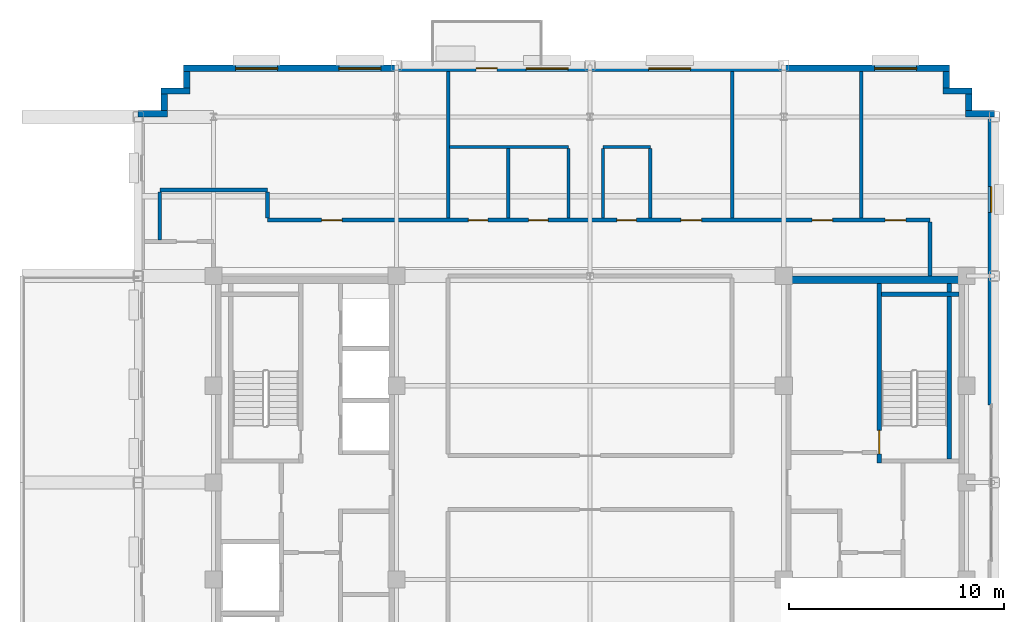
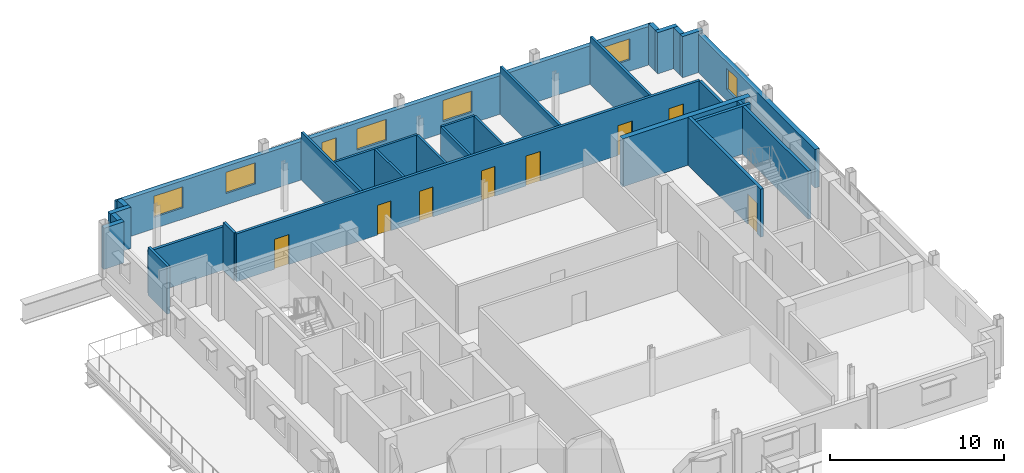
# One storey, part 8 of 14: 28 walls, 9 doors, 6 windows, 15 openings.
"""IFC4 building model written with IfcOpenShell, lengths in metres."""

import ifcopenshell
import ifcopenshell.guid

model = None  # the IFC model being written
_history = None  # IfcOwnerHistory: only IFC2X3 demands one
_inside = {}  # id of a spatial element -> (the spatial element, [elements in it])
_under = {}  # id of a project, library or spatial element -> (it, [spatial elements below it])
_declared = {}  # id of a project -> (the project, [libraries it declares])
_typed = {}  # id of a type object -> (the type object, [elements of that type])
_made_of = {}  # id of a material, layer set ... -> (it, [elements and type objects made of it])


def new_model(schema):
    """Start an empty IFC model of exactly this schema.

    Asked for "IFC4X3", IfcOpenShell would pick the latest addendum, in which some entities
    have other attributes; the version numbers below select the first issue.
    IFC2X3 requires an IfcOwnerHistory on every rooted entity: one is made here for all.
    """
    global model, _history
    if schema == "IFC4X3":
        model = ifcopenshell.file(schema_version=(4, 3, 0, 0))
    else:
        model = ifcopenshell.file(schema=schema)
    _inside.clear()
    _under.clear()
    _declared.clear()
    _typed.clear()
    _made_of.clear()
    _history = None
    if model.schema == "IFC2X3":
        org = make("IfcOrganization", Name="unknown")
        user = make(
            "IfcPersonAndOrganization",
            ThePerson=make("IfcPerson", FamilyName="unknown"),
            TheOrganization=org,
        )
        app = make(
            "IfcApplication",
            ApplicationDeveloper=org,
            Version="unknown",
            ApplicationFullName="unknown",
            ApplicationIdentifier="unknown",
        )
        _history = make(
            "IfcOwnerHistory",
            OwningUser=user,
            OwningApplication=app,
            ChangeAction="ADDED",
            CreationDate=0,
        )
    return model


def make(cls, **values):
    """One entity of the class cls with the attributes given. An attribute that is None is left unset."""
    return model.create_entity(
        cls, **{name: value for name, value in values.items() if value is not None}
    )


def rooted(cls, **values):
    """An entity with a GlobalId (a new one), such as an element, a storey or a relation."""
    return make(cls, GlobalId=ifcopenshell.guid.new(), OwnerHistory=_history, **values)


def si_unit(unit_type, name, prefix=None):
    """IfcSIUnit, for example si_unit("LENGTHUNIT", "METRE", prefix="MILLI")."""
    return make("IfcSIUnit", UnitType=unit_type, Prefix=prefix, Name=name)


def assignment(units):
    """IfcUnitAssignment: the units of a project."""
    return None if units is None else make("IfcUnitAssignment", Units=units)


def point(xyz):
    """IfcCartesianPoint."""
    return None if xyz is None else make("IfcCartesianPoint", Coordinates=xyz)


def direction(xyz):
    """IfcDirection."""
    return None if xyz is None else make("IfcDirection", DirectionRatios=xyz)


def frame(location, z_axis=None, x_axis=None):
    """IfcAxis2Placement3D, a coordinate frame: its origin and axes. An axis left out is left unset."""
    return make(
        "IfcAxis2Placement3D",
        Location=point(location),
        Axis=direction(z_axis),
        RefDirection=direction(x_axis),
    )


def frame_2d(location, x_axis=None):
    """IfcAxis2Placement2D, a coordinate frame in the plane: its origin and x axis."""
    return make(
        "IfcAxis2Placement2D", Location=point(location), RefDirection=direction(x_axis)
    )


def origin():
    """The frame at (0, 0, 0) with its axes left unset."""
    return frame((0.0, 0.0, 0.0))


def place(relative_to, where):
    """IfcLocalPlacement: puts the frame where relative to a parent placement (None: the world)."""
    return make(
        "IfcLocalPlacement", PlacementRelTo=relative_to, RelativePlacement=where
    )


def context(
    kind, dimensions, precision=None, world=None, true_north=None, identifier=None
):
    """IfcGeometricRepresentationContext, for example the 3D "Model" context."""
    return make(
        "IfcGeometricRepresentationContext",
        ContextIdentifier=identifier,
        ContextType=kind,
        CoordinateSpaceDimension=dimensions,
        Precision=precision,
        WorldCoordinateSystem=world,
        TrueNorth=true_north,
    )


def subcontext(parent, identifier, kind, view, scale=None):
    """IfcGeometricRepresentationSubContext, for example "Body" below "Model"."""
    return make(
        "IfcGeometricRepresentationSubContext",
        ContextIdentifier=identifier,
        ContextType=kind,
        ParentContext=parent,
        TargetScale=scale,
        TargetView=view,
    )


def project(units=None, contexts=None):
    """IfcProject with its units and contexts."""
    return rooted(
        "IfcProject",
        Name="project",
        RepresentationContexts=contexts,
        UnitsInContext=assignment(units),
    )


def spatial(cls, under=None, at=None, **own):
    """A site, building, storey or space (cls), placed at a placement, below another one or the project."""
    s = rooted(cls, ObjectPlacement=at, **own)
    if under is not None:
        _under.setdefault(under.id(), (under, []))[1].append(s)
    return s


def profile(cls, at=None, kind="AREA", **sizes):
    """A parametric profile (cls). Its sizes go by their IFC names, for example OverallWidth=200.0."""
    return make(cls, ProfileType=kind, Position=at, **sizes)


def rectangle(**sizes):
    """IfcRectangleProfileDef."""
    return profile("IfcRectangleProfileDef", **sizes)


def extrude(swept, where, along, depth):
    """IfcExtrudedAreaSolid: the profile swept, set in the frame where, extruded along a direction by depth."""
    return make(
        "IfcExtrudedAreaSolid",
        SweptArea=swept,
        Position=where,
        ExtrudedDirection=direction(along),
        Depth=depth,
    )


def shape(context_of_items, identifier, shape_type, items):
    """IfcShapeRepresentation: the items that make up one representation, for example the "Body"."""
    return make(
        "IfcShapeRepresentation",
        ContextOfItems=context_of_items,
        RepresentationIdentifier=identifier,
        RepresentationType=shape_type,
        Items=items,
    )


def source(mapping_origin, context_of_items, identifier, shape_type, items):
    """IfcRepresentationMap: a shape defined once, which mapped items show again and again."""
    return make(
        "IfcRepresentationMap",
        MappingOrigin=mapping_origin,
        MappedRepresentation=shape(context_of_items, identifier, shape_type, items),
    )


def transform(
    local_origin,
    x_axis=None,
    y_axis=None,
    z_axis=None,
    scale=None,
    scale2=None,
    scale3=None,
    uniform=True,
):
    """IfcCartesianTransformationOperator3D, or its non-uniform kind. x_axis, y_axis, z_axis: its Axis1, 2, 3."""
    if uniform:
        return make(
            "IfcCartesianTransformationOperator3D",
            Axis1=direction(x_axis),
            Axis2=direction(y_axis),
            LocalOrigin=point(local_origin),
            Scale=scale,
            Axis3=direction(z_axis),
        )
    return make(
        "IfcCartesianTransformationOperator3DnonUniform",
        Axis1=direction(x_axis),
        Axis2=direction(y_axis),
        LocalOrigin=point(local_origin),
        Scale=scale,
        Axis3=direction(z_axis),
        Scale2=scale2,
        Scale3=scale3,
    )


def mapped(mapping_source, mapping_target):
    """IfcMappedItem: shows the shape of a source again, moved by a transform."""
    return make(
        "IfcMappedItem", MappingSource=mapping_source, MappingTarget=mapping_target
    )


def material(Name=None, Category=None):
    """IfcMaterial."""
    return make("IfcMaterial", Name=Name, Category=Category)


def layer(
    of_material, thickness, ventilated=None, Name=None, Category=None, Priority=None
):
    """IfcMaterialLayer: one layer of a wall or slab, of a material (None: an air gap)."""
    return make(
        "IfcMaterialLayer",
        Material=of_material,
        LayerThickness=thickness,
        IsVentilated=ventilated,
        Name=Name,
        Category=Category,
        Priority=Priority,
    )


def layer_set(layers, Name=None):
    """IfcMaterialLayerSet."""
    return make("IfcMaterialLayerSet", MaterialLayers=layers, LayerSetName=Name)


def made_of(thing, what):
    """Note that an element or type object is made of a material, layer set ...; save() writes the relation."""
    if what is not None:
        _made_of.setdefault(what.id(), (what, []))[1].append(thing)
    return thing


def type_object(cls, material=None, **own):
    """A type object (cls), such as IfcWallType, which elements share."""
    return made_of(rooted(cls, **own), material)


def type_shapes(of_type, sources):
    """Give a type object the sources (RepresentationMaps) that its elements show as mapped items."""
    of_type.RepresentationMaps = sources


def element(
    cls,
    number,
    at=None,
    inside=None,
    cuts=None,
    type_object=None,
    material=None,
    context=None,
    identifier="Body",
    shape_type=None,
    held_by="IfcProductDefinitionShape",
    body=None,
    shapes=None,
    **own,
):
    """One element of the class cls, such as IfcWall. Its Tag is "e" and its number.

    at: its placement. inside: the storey or other place that contains it. cuts: it is an
    opening in that element (IfcRelVoidsElement). A single representation is given by context,
    identifier, shape_type and body (its items); several are given by shapes. held_by: the class
    of the entity that holds the representations. save() writes the other relations.
    """
    e = rooted(cls, Tag="e%d" % number, ObjectPlacement=at, **own)
    if body is not None:
        shapes = [shape(context, identifier, shape_type, body)]
    if shapes is not None:
        e.Representation = make(held_by, Representations=shapes)
    if inside is not None:
        _inside.setdefault(inside.id(), (inside, []))[1].append(e)
    if cuts is not None:
        rooted(
            "IfcRelVoidsElement", RelatingBuildingElement=cuts, RelatedOpeningElement=e
        )
    if type_object is not None:
        _typed.setdefault(type_object.id(), (type_object, []))[1].append(e)
    return made_of(e, material)


def fill(opening, filler):
    """IfcRelFillsElement: the door or window that sits in an opening."""
    return rooted(
        "IfcRelFillsElement",
        RelatingOpeningElement=opening,
        RelatedBuildingElement=filler,
    )


def aggregate(whole, parts):
    """IfcRelAggregates: a whole, such as a stair, and the parts it consists of."""
    return rooted("IfcRelAggregates", RelatingObject=whole, RelatedObjects=parts)


def save(model, path):
    """Write the relations noted so far, then the file.

    IfcRelAggregates (storeys below a building ...), IfcRelContainedInSpatialStructure (elements
    in a storey), IfcRelDefinesByType, IfcRelAssociatesMaterial and IfcRelDeclares: one each for
    every whole, place, type object, material and project.
    """
    for whole, parts in _under.values():
        aggregate(whole, parts)
    for where, things in _inside.values():
        rooted(
            "IfcRelContainedInSpatialStructure",
            RelatedElements=things,
            RelatingStructure=where,
        )
    for kind, things in _typed.values():
        rooted("IfcRelDefinesByType", RelatedObjects=things, RelatingType=kind)
    for what, things in _made_of.values():
        rooted("IfcRelAssociatesMaterial", RelatedObjects=things, RelatingMaterial=what)
    for by, libraries in _declared.values():
        rooted("IfcRelDeclares", RelatingContext=by, RelatedDefinitions=libraries)
    model.write(path)


model = new_model("IFC4")

# Units and contexts
model_context = context("Model", 3, precision=1e-05, world=origin(), true_north=direction((0.0, 1.0)))
body_context = subcontext(model_context, "Body", "Model", "MODEL_VIEW")
ifc_project = project(units=[si_unit("LENGTHUNIT", "METRE"), si_unit("AREAUNIT", "SQUARE_METRE"), si_unit("VOLUMEUNIT", "CUBIC_METRE"), si_unit("PLANEANGLEUNIT", "RADIAN"), si_unit("MASSUNIT", "GRAM", prefix="KILO")], contexts=[model_context])

# Site, building, storey
site_placement = place(None, origin())
site = spatial("IfcSite", under=ifc_project, at=site_placement, CompositionType="ELEMENT")
building_placement = place(site_placement, origin())
building = spatial("IfcBuilding", under=site, at=building_placement, Name="Nuvemarco Arch Tower", CompositionType="ELEMENT")
storey_placement = place(building_placement, frame((0.0, 0.0, 245.64990234375)))
storey = spatial("IfcBuildingStorey", under=building, at=storey_placement, Name="L65", CompositionType="ELEMENT", Elevation=245.64990234375)

# Wall, opening, window
ifc_material_1 = material(Name="Precast concrete C45/55", Category="concrete")
ifc_layer_1 = layer(ifc_material_1, 0.300048828125, Name="EW-HIGH-300")
ifc_layer_set_1 = layer_set([ifc_layer_1], Name="Precast concrete C45/55")
wall_type_1 = type_object("IfcWallType", Name="EW-HIGH-300", PredefinedType="STANDARD", material=ifc_layer_set_1)
wall_1_placement = place(storey_placement, frame((18.64990234375, 3.60009765625, 0.0), z_axis=(0.0, 0.0, 1.0), x_axis=(0.0, 1.0, 0.0)))
wall_1 = element("IfcWall", 1, at=wall_1_placement, inside=storey, type_object=wall_type_1, Name="L65 exterior precast pier wall east right", PredefinedType="STANDARD", context=body_context, shape_type="SweptSolid", body=[
    extrude(rectangle(XDim=13.40380859375, YDim=0.300048828125, at=frame_2d((6.701904296875, 0.0))), origin(), (0.0, 0.0, 1.0), 2.705078125),
])
opening_1_placement = place(wall_1_placement, frame((8.952880859375, 0.0, 0.800048828125)))
opening_1 = element("IfcOpeningElement", 2, at=opening_1_placement, cuts=wall_1, Name="Opening WN-8", PredefinedType="OPENING", context=body_context, shape_type="SweptSolid", body=[
    extrude(rectangle(XDim=1.199951171875, YDim=1.47998046875, at=frame_2d((0.60009765625, 0.739990234375))), frame((0.0, 0.159912109375, 0.0), z_axis=(0.0, -1.0, 0.0), x_axis=(1.0, 0.0, 0.0)), (0.0, 0.0, 1.0), 0.320068359375),
])
ifc_material_2 = material(Name="Insulated solar-control glass", Category="glass")
window_type_1 = type_object("IfcWindowType", Name="WN-HIGH-1200x1480", PartitioningType="SINGLE_PANEL", PredefinedType="WINDOW", material=ifc_material_2)
shared_shape_1 = source(origin(), body_context, "Body", "SweptSolid", [
    extrude(rectangle(XDim=1.199951171875, YDim=1.47998046875, at=frame_2d((0.60009765625, 0.739990234375))), frame((0.0, 0.030029296875, 0.0), z_axis=(0.0, -1.0, 0.0), x_axis=(1.0, 0.0, 0.0)), (0.0, 0.0, 1.0), 0.06005859375),
])
type_shapes(window_type_1, [shared_shape_1])
window_1_placement = place(opening_1_placement, origin())
window_1 = element("IfcWindow", 3, at=window_1_placement, inside=storey, type_object=window_type_1, Name="L65 punched facade window 2", OverallHeight=1.47998046875, OverallWidth=1.199951171875, PartitioningType="SINGLE_PANEL", PredefinedType="WINDOW", context=body_context, shape_type="MappedRepresentation", body=[
    mapped(shared_shape_1, transform((0.0, 0.0, 0.0), scale=1.0)),
])
fill(opening_1, window_1)

# Walls
wall_2_placement = place(storey_placement, frame((17.449951171875, 17.14990234375, 0.0), z_axis=(0.0, 0.0, 1.0), x_axis=(1.0, 0.0, 0.0)))
element("IfcWall", 4, at=wall_2_placement, inside=storey, type_object=wall_type_1, Name="L65 exterior precast facade wall 7", PredefinedType="STANDARD", context=body_context, shape_type="SweptSolid", body=[
    extrude(rectangle(XDim=1.35009765625, YDim=0.300048828125, at=frame_2d((0.675048828125, 0.0))), origin(), (0.0, 0.0, 1.0), 2.89208984375),
])
wall_3_placement = place(storey_placement, frame((17.60009765625, 17.2958984375, 0.0), z_axis=(0.0, 0.0, 1.0), x_axis=(0.0, 1.0, 0.0)))
element("IfcWall", 5, at=wall_3_placement, inside=storey, type_object=wall_type_1, Name="L65 exterior precast facade wall 8", PredefinedType="STANDARD", context=body_context, shape_type="SweptSolid", body=[
    extrude(rectangle(XDim=0.758056640625, YDim=0.300048828125, at=frame_2d((0.37890625, 0.0))), origin(), (0.0, 0.0, 1.0), 2.89208984375),
])
wall_4_placement = place(storey_placement, frame((16.39990234375, 18.199951171875, 0.0), z_axis=(0.0, 0.0, 1.0), x_axis=(1.0, 0.0, 0.0)))
element("IfcWall", 6, at=wall_4_placement, inside=storey, type_object=wall_type_1, Name="L65 exterior precast facade wall 9", PredefinedType="STANDARD", context=body_context, shape_type="SweptSolid", body=[
    extrude(rectangle(XDim=1.35009765625, YDim=0.300048828125, at=frame_2d((0.675048828125, 0.0))), origin(), (0.0, 0.0, 1.0), 2.89208984375),
])
wall_5_placement = place(storey_placement, frame((16.550048828125, 18.345947265625, 0.0), z_axis=(0.0, 0.0, 1.0), x_axis=(0.0, 1.0, 0.0)))
element("IfcWall", 7, at=wall_5_placement, inside=storey, type_object=wall_type_1, Name="L65 exterior precast facade wall 10", PredefinedType="STANDARD", context=body_context, shape_type="SweptSolid", body=[
    extrude(rectangle(XDim=0.758056640625, YDim=0.300048828125, at=frame_2d((0.37890625, 0.0))), origin(), (0.0, 0.0, 1.0), 2.89208984375),
])

# Wall, openings, door, windows
wall_6_placement = place(storey_placement, frame((-18.89990234375, 19.25, 0.0), z_axis=(0.0, 0.0, 1.0), x_axis=(1.0, 0.0, 0.0)))
wall_6 = element("IfcWall", 8, at=wall_6_placement, inside=storey, type_object=wall_type_1, Name="L65 exterior precast facade wall 11", PredefinedType="STANDARD", context=body_context, shape_type="SweptSolid", body=[
    extrude(rectangle(XDim=35.599853515625, YDim=0.300048828125, at=frame_2d((17.7998046875, 0.0))), origin(), (0.0, 0.0, 1.0), 2.705078125),
])
opening_2_placement = place(wall_6_placement, frame((13.60009765625, 0.0, 0.0)))
opening_2 = element("IfcOpeningElement", 9, at=opening_2_placement, cuts=wall_6, Name="Opening ED-6", PredefinedType="OPENING", context=body_context, shape_type="SweptSolid", body=[
    extrude(rectangle(XDim=0.97998046875, YDim=2.14990234375, at=frame_2d((0.489990234375, 1.074951171875))), frame((0.0, 0.159912109375, 0.0), z_axis=(0.0, -1.0, 0.0), x_axis=(1.0, 0.0, 0.0)), (0.0, 0.0, 1.0), 0.320068359375),
])
opening_3_placement = place(wall_6_placement, frame((2.425048828125, 0.0, 0.800048828125)))
opening_3 = element("IfcOpeningElement", 10, at=opening_3_placement, cuts=wall_6, Name="Opening WN-7", PredefinedType="OPENING", context=body_context, shape_type="SweptSolid", body=[
    extrude(rectangle(XDim=1.949951171875, YDim=1.47998046875, at=frame_2d((0.97509765625, 0.739990234375))), frame((0.0, 0.159912109375, 0.0), z_axis=(0.0, -1.0, 0.0), x_axis=(1.0, 0.0, 0.0)), (0.0, 0.0, 1.0), 0.320068359375),
])
opening_4_placement = place(wall_6_placement, frame((7.22509765625, 0.0, 0.800048828125)))
opening_4 = element("IfcOpeningElement", 11, at=opening_4_placement, cuts=wall_6, Name="Opening WN-7", PredefinedType="OPENING", context=body_context, shape_type="SweptSolid", body=[
    extrude(rectangle(XDim=1.949951171875, YDim=1.47998046875, at=frame_2d((0.97509765625, 0.739990234375))), frame((0.0, 0.159912109375, 0.0), z_axis=(0.0, -1.0, 0.0), x_axis=(1.0, 0.0, 0.0)), (0.0, 0.0, 1.0), 0.320068359375),
])
opening_5_placement = place(wall_6_placement, frame((15.925048828125, 0.0, 0.800048828125)))
opening_5 = element("IfcOpeningElement", 12, at=opening_5_placement, cuts=wall_6, Name="Opening WN-7", PredefinedType="OPENING", context=body_context, shape_type="SweptSolid", body=[
    extrude(rectangle(XDim=1.949951171875, YDim=1.47998046875, at=frame_2d((0.97509765625, 0.739990234375))), frame((0.0, 0.159912109375, 0.0), z_axis=(0.0, -1.0, 0.0), x_axis=(1.0, 0.0, 0.0)), (0.0, 0.0, 1.0), 0.320068359375),
])
opening_6_placement = place(wall_6_placement, frame((21.625, 0.0, 0.800048828125)))
opening_6 = element("IfcOpeningElement", 13, at=opening_6_placement, cuts=wall_6, Name="Opening WN-7", PredefinedType="OPENING", context=body_context, shape_type="SweptSolid", body=[
    extrude(rectangle(XDim=1.949951171875, YDim=1.47998046875, at=frame_2d((0.97509765625, 0.739990234375))), frame((0.0, 0.159912109375, 0.0), z_axis=(0.0, -1.0, 0.0), x_axis=(1.0, 0.0, 0.0)), (0.0, 0.0, 1.0), 0.320068359375),
])
opening_7_placement = place(wall_6_placement, frame((32.125, 0.0, 0.800048828125)))
opening_7 = element("IfcOpeningElement", 14, at=opening_7_placement, cuts=wall_6, Name="Opening WN-7", PredefinedType="OPENING", context=body_context, shape_type="SweptSolid", body=[
    extrude(rectangle(XDim=1.949951171875, YDim=1.47998046875, at=frame_2d((0.97509765625, 0.739990234375))), frame((0.0, 0.159912109375, 0.0), z_axis=(0.0, -1.0, 0.0), x_axis=(1.0, 0.0, 0.0)), (0.0, 0.0, 1.0), 0.320068359375),
])
ifc_material_3 = material(Name="Anodised bronze and laminated glass", Category="glass")
door_type_1 = type_object("IfcDoorType", Name="DR-EXT-BALC", OperationType="NOTDEFINED", PredefinedType="DOOR", material=ifc_material_3)
shared_shape_2 = source(origin(), body_context, "Body", "SweptSolid", [
    extrude(rectangle(XDim=0.97998046875, YDim=2.14990234375, at=frame_2d((0.489990234375, 1.074951171875))), frame((0.0, 0.02490234375, 0.0), z_axis=(0.0, -1.0, 0.0), x_axis=(1.0, 0.0, 0.0)), (0.0, 0.0, 1.0), 0.050048828125),
])
type_shapes(door_type_1, [shared_shape_2])
door_1_placement = place(opening_2_placement, origin())
door_1 = element("IfcDoor", 15, at=door_1_placement, inside=storey, type_object=door_type_1, Name="L65 tree balcony access door", OperationType="SINGLE_SWING_LEFT", OverallHeight=2.14990234375, OverallWidth=0.97998046875, PredefinedType="DOOR", context=body_context, shape_type="MappedRepresentation", body=[
    mapped(shared_shape_2, transform((0.0, 0.0, 0.0), scale=1.0)),
])
fill(opening_2, door_1)
window_type_2 = type_object("IfcWindowType", Name="WN-HIGH-1950x1480", PartitioningType="DOUBLE_PANEL_VERTICAL", PredefinedType="WINDOW", material=ifc_material_2)
shared_shape_3 = source(origin(), body_context, "Body", "SweptSolid", [
    extrude(rectangle(XDim=1.949951171875, YDim=1.47998046875, at=frame_2d((0.97509765625, 0.739990234375))), frame((0.0, 0.030029296875, 0.0), z_axis=(0.0, -1.0, 0.0), x_axis=(1.0, 0.0, 0.0)), (0.0, 0.0, 1.0), 0.06005859375),
])
type_shapes(window_type_2, [shared_shape_3])
window_2_placement = place(opening_3_placement, origin())
window_2 = element("IfcWindow", 16, at=window_2_placement, inside=storey, type_object=window_type_2, Name="L65 punched facade window 1", OverallHeight=1.47998046875, OverallWidth=1.949951171875, PartitioningType="SINGLE_PANEL", PredefinedType="WINDOW", context=body_context, shape_type="MappedRepresentation", body=[
    mapped(shared_shape_3, transform((0.0, 0.0, 0.0), scale=1.0)),
])
fill(opening_3, window_2)
window_3_placement = place(opening_4_placement, origin())
window_3 = element("IfcWindow", 17, at=window_3_placement, inside=storey, type_object=window_type_2, Name="L65 punched facade window 2", OverallHeight=1.47998046875, OverallWidth=1.949951171875, PartitioningType="SINGLE_PANEL", PredefinedType="WINDOW", context=body_context, shape_type="MappedRepresentation", body=[
    mapped(shared_shape_3, transform((0.0, 0.0, 0.0), scale=1.0)),
])
fill(opening_4, window_3)
window_4_placement = place(opening_5_placement, origin())
window_4 = element("IfcWindow", 18, at=window_4_placement, inside=storey, type_object=window_type_2, Name="L65 punched facade window 4", OverallHeight=1.47998046875, OverallWidth=1.949951171875, PartitioningType="SINGLE_PANEL", PredefinedType="WINDOW", context=body_context, shape_type="MappedRepresentation", body=[
    mapped(shared_shape_3, transform((0.0, 0.0, 0.0), scale=1.0)),
])
fill(opening_5, window_4)
window_5_placement = place(opening_6_placement, origin())
window_5 = element("IfcWindow", 19, at=window_5_placement, inside=storey, type_object=window_type_2, Name="L65 punched facade window 5", OverallHeight=1.47998046875, OverallWidth=1.949951171875, PartitioningType="SINGLE_PANEL", PredefinedType="WINDOW", context=body_context, shape_type="MappedRepresentation", body=[
    mapped(shared_shape_3, transform((0.0, 0.0, 0.0), scale=1.0)),
])
fill(opening_6, window_5)
window_6_placement = place(opening_7_placement, origin())
window_6 = element("IfcWindow", 20, at=window_6_placement, inside=storey, type_object=window_type_2, Name="L65 punched facade window 7", OverallHeight=1.47998046875, OverallWidth=1.949951171875, PartitioningType="SINGLE_PANEL", PredefinedType="WINDOW", context=body_context, shape_type="MappedRepresentation", body=[
    mapped(shared_shape_3, transform((0.0, 0.0, 0.0), scale=1.0)),
])
fill(opening_7, window_6)

# Walls
wall_7_placement = place(storey_placement, frame((-18.75, 18.345947265625, 0.0), z_axis=(0.0, 0.0, 1.0), x_axis=(0.0, 1.0, 0.0)))
element("IfcWall", 21, at=wall_7_placement, inside=storey, type_object=wall_type_1, Name="L65 exterior precast facade wall 12", PredefinedType="STANDARD", context=body_context, shape_type="SweptSolid", body=[
    extrude(rectangle(XDim=0.758056640625, YDim=0.300048828125, at=frame_2d((0.37890625, 0.0))), origin(), (0.0, 0.0, 1.0), 2.89208984375),
])
wall_8_placement = place(storey_placement, frame((-19.949951171875, 18.199951171875, 0.0), z_axis=(0.0, 0.0, 1.0), x_axis=(1.0, 0.0, 0.0)))
element("IfcWall", 22, at=wall_8_placement, inside=storey, type_object=wall_type_1, Name="L65 exterior precast facade wall 13", PredefinedType="STANDARD", context=body_context, shape_type="SweptSolid", body=[
    extrude(rectangle(XDim=1.349853515625, YDim=0.300048828125, at=frame_2d((0.6748046875, 0.0))), origin(), (0.0, 0.0, 1.0), 2.89208984375),
])
wall_9_placement = place(storey_placement, frame((-19.800048828125, 17.2958984375, 0.0), z_axis=(0.0, 0.0, 1.0), x_axis=(0.0, 1.0, 0.0)))
element("IfcWall", 23, at=wall_9_placement, inside=storey, type_object=wall_type_1, Name="L65 exterior precast facade wall 14", PredefinedType="STANDARD", context=body_context, shape_type="SweptSolid", body=[
    extrude(rectangle(XDim=0.758056640625, YDim=0.300048828125, at=frame_2d((0.37890625, 0.0))), origin(), (0.0, 0.0, 1.0), 2.89208984375),
])
wall_10_placement = place(storey_placement, frame((-21.0, 17.14990234375, 0.0), z_axis=(0.0, 0.0, 1.0), x_axis=(1.0, 0.0, 0.0)))
element("IfcWall", 24, at=wall_10_placement, inside=storey, type_object=wall_type_1, Name="L65 exterior precast facade wall 15", PredefinedType="STANDARD", context=body_context, shape_type="SweptSolid", body=[
    extrude(rectangle(XDim=1.35009765625, YDim=0.300048828125, at=frame_2d((0.675048828125, 0.0))), origin(), (0.0, 0.0, 1.0), 2.89208984375),
])
ifc_material_4 = material(Name="Concrete C50/60", Category="concrete")
ifc_layer_2 = layer(ifc_material_4, 0.35009765625, Name="WL-CORE-350")
ifc_layer_set_2 = layer_set([ifc_layer_2], Name="Concrete C50/60")
wall_type_2 = type_object("IfcWallType", Name="WL-CORE-350", PredefinedType="SHEAR", material=ifc_layer_set_2)
wall_11_placement = place(storey_placement, frame((9.0, 9.425048828125, 0.0), z_axis=(0.0, 0.0, 1.0), x_axis=(1.0, 0.0, 0.0)))
element("IfcWall", 25, at=wall_11_placement, inside=storey, type_object=wall_type_2, Name="L65 E-core shear wall N", PredefinedType="SHEAR", context=body_context, shape_type="SweptSolid", body=[
    extrude(rectangle(XDim=8.5, YDim=0.35009765625, at=frame_2d((4.25, 0.0))), origin(), (0.0, 0.0, 1.0), 3.3701171875),
])

# Wall, openings, doors
ifc_material_5 = material(Name="Fire-rated gypsum drywall partition")
ifc_layer_3 = layer(ifc_material_5, 0.179931640625, Name="WL-CORR-180")
ifc_layer_set_3 = layer_set([ifc_layer_3], Name="Fire-rated gypsum drywall partition")
wall_type_3 = type_object("IfcWallType", Name="WL-CORR-180", PredefinedType="PARTITIONING", material=ifc_layer_set_3)
wall_12_placement = place(storey_placement, frame((-15.0, 12.199951171875, 0.0), z_axis=(0.0, 0.0, 1.0), x_axis=(1.0, 0.0, 0.0)))
wall_12 = element("IfcWall", 26, at=wall_12_placement, inside=storey, type_object=wall_type_3, Name="L65 interior wall IW-L65-013", PredefinedType="PARTITIONING", context=body_context, shape_type="SweptSolid", body=[
    extrude(rectangle(XDim=30.800048828125, YDim=0.179931640625, at=frame_2d((15.39990234375, 0.0))), origin(), (0.0, 0.0, 1.0), 3.360107421875),
])
opening_8_placement = place(wall_12_placement, frame((2.52001953125, 0.0, 0.0)))
opening_8 = element("IfcOpeningElement", 27, at=opening_8_placement, cuts=wall_12, Name="Opening FD-5", PredefinedType="OPENING", context=body_context, shape_type="SweptSolid", body=[
    extrude(rectangle(XDim=0.9599609375, YDim=2.10009765625, at=frame_2d((0.47998046875, 1.050048828125))), frame((0.0, 0.099853515625, 0.0), z_axis=(0.0, -1.0, 0.0), x_axis=(1.0, 0.0, 0.0)), (0.0, 0.0, 1.0), 0.199951171875),
])
opening_9_placement = place(wall_12_placement, frame((19.219970703125, 0.0, 0.0)))
opening_9 = element("IfcOpeningElement", 28, at=opening_9_placement, cuts=wall_12, Name="Opening FD-5", PredefinedType="OPENING", context=body_context, shape_type="SweptSolid", body=[
    extrude(rectangle(XDim=0.9599609375, YDim=2.10009765625, at=frame_2d((0.47998046875, 1.050048828125))), frame((0.0, 0.099853515625, 0.0), z_axis=(0.0, -1.0, 0.0), x_axis=(1.0, 0.0, 0.0)), (0.0, 0.0, 1.0), 0.199951171875),
])
opening_10_placement = place(wall_12_placement, frame((25.320068359375, 0.0, 0.0)))
opening_10 = element("IfcOpeningElement", 29, at=opening_10_placement, cuts=wall_12, Name="Opening FD-5", PredefinedType="OPENING", context=body_context, shape_type="SweptSolid", body=[
    extrude(rectangle(XDim=0.9599609375, YDim=2.10009765625, at=frame_2d((0.47998046875, 1.050048828125))), frame((0.0, 0.099853515625, 0.0), z_axis=(0.0, -1.0, 0.0), x_axis=(1.0, 0.0, 0.0)), (0.0, 0.0, 1.0), 0.199951171875),
])
opening_11_placement = place(wall_12_placement, frame((28.719970703125, 0.0, 0.0)))
opening_11 = element("IfcOpeningElement", 30, at=opening_11_placement, cuts=wall_12, Name="Opening FD-5", PredefinedType="OPENING", context=body_context, shape_type="SweptSolid", body=[
    extrude(rectangle(XDim=0.9599609375, YDim=2.10009765625, at=frame_2d((0.47998046875, 1.050048828125))), frame((0.0, 0.099853515625, 0.0), z_axis=(0.0, -1.0, 0.0), x_axis=(1.0, 0.0, 0.0)), (0.0, 0.0, 1.0), 0.199951171875),
])
opening_12_placement = place(wall_12_placement, frame((9.35009765625, 0.0, 0.0)))
opening_12 = element("IfcOpeningElement", 31, at=opening_12_placement, cuts=wall_12, Name="Opening ID-3", PredefinedType="OPENING", context=body_context, shape_type="SweptSolid", body=[
    extrude(rectangle(XDim=0.89990234375, YDim=2.10009765625, at=frame_2d((0.449951171875, 1.050048828125))), frame((0.0, 0.099853515625, 0.0), z_axis=(0.0, -1.0, 0.0), x_axis=(1.0, 0.0, 0.0)), (0.0, 0.0, 1.0), 0.199951171875),
])
opening_13_placement = place(wall_12_placement, frame((12.14990234375, 0.0, 0.0)))
opening_13 = element("IfcOpeningElement", 32, at=opening_13_placement, cuts=wall_12, Name="Opening ID-3", PredefinedType="OPENING", context=body_context, shape_type="SweptSolid", body=[
    extrude(rectangle(XDim=0.89990234375, YDim=2.10009765625, at=frame_2d((0.449951171875, 1.050048828125))), frame((0.0, 0.099853515625, 0.0), z_axis=(0.0, -1.0, 0.0), x_axis=(1.0, 0.0, 0.0)), (0.0, 0.0, 1.0), 0.199951171875),
])
opening_14_placement = place(wall_12_placement, frame((16.25, 0.0, 0.0)))
opening_14 = element("IfcOpeningElement", 33, at=opening_14_placement, cuts=wall_12, Name="Opening ID-3", PredefinedType="OPENING", context=body_context, shape_type="SweptSolid", body=[
    extrude(rectangle(XDim=0.89990234375, YDim=2.10009765625, at=frame_2d((0.449951171875, 1.050048828125))), frame((0.0, 0.099853515625, 0.0), z_axis=(0.0, -1.0, 0.0), x_axis=(1.0, 0.0, 0.0)), (0.0, 0.0, 1.0), 0.199951171875),
])
ifc_material_6 = material(Name="Timber fire door", Category="wood")
door_type_2 = type_object("IfcDoorType", Name="DR-CORR-FD", OperationType="NOTDEFINED", PredefinedType="DOOR", material=ifc_material_6)
shared_shape_4 = source(origin(), body_context, "Body", "SweptSolid", [
    extrude(rectangle(XDim=0.9599609375, YDim=2.10009765625, at=frame_2d((0.47998046875, 1.050048828125))), frame((0.0, 0.02490234375, 0.0), z_axis=(0.0, -1.0, 0.0), x_axis=(1.0, 0.0, 0.0)), (0.0, 0.0, 1.0), 0.050048828125),
])
type_shapes(door_type_2, [shared_shape_4])
door_2_placement = place(opening_8_placement, origin())
door_2 = element("IfcDoor", 34, at=door_2_placement, inside=storey, type_object=door_type_2, Name="L65 door DR-L65-N_1", OperationType="SINGLE_SWING_RIGHT", OverallHeight=2.10009765625, OverallWidth=0.9599609375, PredefinedType="DOOR", context=body_context, shape_type="MappedRepresentation", body=[
    mapped(shared_shape_4, transform((0.0, 0.0, 0.0), scale=1.0)),
])
fill(opening_8, door_2)
door_3_placement = place(opening_9_placement, origin())
door_3 = element("IfcDoor", 35, at=door_3_placement, inside=storey, type_object=door_type_2, Name="L65 door DR-L65-N_2", OperationType="SINGLE_SWING_RIGHT", OverallHeight=2.10009765625, OverallWidth=0.9599609375, PredefinedType="DOOR", context=body_context, shape_type="MappedRepresentation", body=[
    mapped(shared_shape_4, transform((0.0, 0.0, 0.0), scale=1.0)),
])
fill(opening_9, door_3)
door_4_placement = place(opening_10_placement, origin())
door_4 = element("IfcDoor", 36, at=door_4_placement, inside=storey, type_object=door_type_2, Name="L65 door DR-L65-N_3", OperationType="SINGLE_SWING_LEFT", OverallHeight=2.10009765625, OverallWidth=0.9599609375, PredefinedType="DOOR", context=body_context, shape_type="MappedRepresentation", body=[
    mapped(shared_shape_4, transform((0.0, 0.0, 0.0), scale=1.0)),
])
fill(opening_10, door_4)
door_5_placement = place(opening_11_placement, origin())
door_5 = element("IfcDoor", 37, at=door_5_placement, inside=storey, type_object=door_type_2, Name="L65 door DR-L65-N_4", OperationType="SINGLE_SWING_RIGHT", OverallHeight=2.10009765625, OverallWidth=0.9599609375, PredefinedType="DOOR", context=body_context, shape_type="MappedRepresentation", body=[
    mapped(shared_shape_4, transform((0.0, 0.0, 0.0), scale=1.0)),
])
fill(opening_11, door_5)
ifc_material_7 = material(Name="Veneered oak timber fire door", Category="wood")
door_type_3 = type_object("IfcDoorType", Name="DR-WC-ACC", OperationType="NOTDEFINED", PredefinedType="DOOR", material=ifc_material_7)
shared_shape_5 = source(origin(), body_context, "Body", "SweptSolid", [
    extrude(rectangle(XDim=0.89990234375, YDim=2.10009765625, at=frame_2d((0.449951171875, 1.050048828125))), frame((0.0, 0.02490234375, 0.0), z_axis=(0.0, -1.0, 0.0), x_axis=(1.0, 0.0, 0.0)), (0.0, 0.0, 1.0), 0.050048828125),
])
type_shapes(door_type_3, [shared_shape_5])
door_6_placement = place(opening_12_placement, origin())
door_6 = element("IfcDoor", 38, at=door_6_placement, inside=storey, type_object=door_type_3, Name="L65 door DR-L65-WC_M", OperationType="SINGLE_SWING_LEFT", OverallHeight=2.10009765625, OverallWidth=0.89990234375, PredefinedType="DOOR", context=body_context, shape_type="MappedRepresentation", body=[
    mapped(shared_shape_5, transform((0.0, 0.0, 0.0), scale=1.0)),
])
fill(opening_12, door_6)
door_7_placement = place(opening_13_placement, origin())
door_7 = element("IfcDoor", 39, at=door_7_placement, inside=storey, type_object=door_type_3, Name="L65 door DR-L65-WC_F", OperationType="SINGLE_SWING_RIGHT", OverallHeight=2.10009765625, OverallWidth=0.89990234375, PredefinedType="DOOR", context=body_context, shape_type="MappedRepresentation", body=[
    mapped(shared_shape_5, transform((0.0, 0.0, 0.0), scale=1.0)),
])
fill(opening_13, door_7)
door_8_placement = place(opening_14_placement, origin())
door_8 = element("IfcDoor", 40, at=door_8_placement, inside=storey, type_object=door_type_3, Name="L65 door DR-L65-WC_ACC", OperationType="SINGLE_SWING_RIGHT", OverallHeight=2.10009765625, OverallWidth=0.89990234375, PredefinedType="DOOR", context=body_context, shape_type="MappedRepresentation", body=[
    mapped(shared_shape_5, transform((0.0, 0.0, 0.0), scale=1.0)),
])
fill(opening_14, door_8)

# Walls
wall_13_placement = place(storey_placement, frame((-20.0, 13.60009765625, 0.0), z_axis=(0.0, 0.0, 1.0), x_axis=(1.0, 0.0, 0.0)))
element("IfcWall", 41, at=wall_13_placement, inside=storey, type_object=wall_type_3, Name="L65 interior wall IW-L65-014", PredefinedType="PARTITIONING", context=body_context, shape_type="SweptSolid", body=[
    extrude(rectangle(XDim=5.0, YDim=0.179931640625, at=frame_2d((2.5, 0.0))), origin(), (0.0, 0.0, 1.0), 3.049072265625),
])
wall_14_placement = place(storey_placement, frame((-20.0, 11.285888671875, 0.0), z_axis=(0.0, 0.0, 1.0), x_axis=(0.0, 1.0, 0.0)))
element("IfcWall", 42, at=wall_14_placement, inside=storey, type_object=wall_type_3, Name="L65 interior wall IW-L65-018", PredefinedType="PARTITIONING", context=body_context, shape_type="SweptSolid", body=[
    extrude(rectangle(XDim=2.22802734375, YDim=0.179931640625, at=frame_2d((1.114013671875, 0.0))), origin(), (0.0, 0.0, 1.0), 3.360107421875),
])
wall_15_placement = place(storey_placement, frame((-15.0, 12.285888671875, 0.0), z_axis=(0.0, 0.0, 1.0), x_axis=(0.0, 1.0, 0.0)))
element("IfcWall", 43, at=wall_15_placement, inside=storey, type_object=wall_type_3, Name="L65 interior wall IW-L65-022", PredefinedType="PARTITIONING", context=body_context, shape_type="SweptSolid", body=[
    extrude(rectangle(XDim=1.22802734375, YDim=0.179931640625, at=frame_2d((0.614013671875, 0.0))), origin(), (0.0, 0.0, 1.0), 3.360107421875),
])
wall_16_placement = place(storey_placement, frame((15.800048828125, 9.60009765625, 0.0), z_axis=(0.0, 0.0, 1.0), x_axis=(0.0, 1.0, 0.0)))
element("IfcWall", 44, at=wall_16_placement, inside=storey, type_object=wall_type_3, Name="L65 interior wall IW-L65-036", PredefinedType="PARTITIONING", context=body_context, shape_type="SweptSolid", body=[
    extrude(rectangle(XDim=2.513916015625, YDim=0.179931640625, at=frame_2d((1.2568359375, 0.0))), origin(), (0.0, 0.0, 1.0), 3.360107421875),
])

# Wall, opening, door
ifc_layer_4 = layer(ifc_material_4, 0.199951171875, Name="WL-SHAFT-220")
ifc_layer_set_4 = layer_set([ifc_layer_4], Name="Concrete C50/60")
wall_type_4 = type_object("IfcWallType", Name="WL-SHAFT-220", PredefinedType="SHEAR", material=ifc_layer_set_4)
wall_17_placement = place(storey_placement, frame((13.43994140625, 0.89990234375, 0.0), z_axis=(0.0, 0.0, 1.0), x_axis=(0.0, 1.0, 0.0)))
wall_17 = element("IfcWall", 45, at=wall_17_placement, inside=storey, type_object=wall_type_4, Name="L65 structural shaft wall SW-L65-E-ST2W", PredefinedType="SHEAR", context=body_context, shape_type="SweptSolid", body=[
    extrude(rectangle(XDim=8.35498046875, YDim=0.199951171875, at=frame_2d((4.177490234375, 0.0))), origin(), (0.0, 0.0, 1.0), 3.3701171875),
])
opening_15_placement = place(wall_17_placement, frame((0.429931640625, 0.0, 0.0)))
opening_15 = element("IfcOpeningElement", 46, at=opening_15_placement, cuts=wall_17, Name="Opening FD-1", PredefinedType="OPENING", context=body_context, shape_type="SweptSolid", body=[
    extrude(rectangle(XDim=1.10009765625, YDim=2.14990234375, at=frame_2d((0.550048828125, 1.074951171875))), frame((0.0, 0.10986328125, 0.0), z_axis=(0.0, -1.0, 0.0), x_axis=(1.0, 0.0, 0.0)), (0.0, 0.0, 1.0), 0.219970703125),
])
ifc_material_8 = material(Name="Anodised steel fire door", Category="steel")
door_type_4 = type_object("IfcDoorType", Name="DR-STAIR-FD", OperationType="NOTDEFINED", PredefinedType="DOOR", material=ifc_material_8)
shared_shape_6 = source(origin(), body_context, "Body", "SweptSolid", [
    extrude(rectangle(XDim=1.10009765625, YDim=2.14990234375, at=frame_2d((0.550048828125, 1.074951171875))), frame((0.0, 0.02490234375, 0.0), z_axis=(0.0, -1.0, 0.0), x_axis=(1.0, 0.0, 0.0)), (0.0, 0.0, 1.0), 0.050048828125),
])
type_shapes(door_type_4, [shared_shape_6])
door_9_placement = place(opening_15_placement, origin())
door_9 = element("IfcDoor", 47, at=door_9_placement, inside=storey, type_object=door_type_4, Name="L65 door FD-L65-ST2", OperationType="SINGLE_SWING_LEFT", OverallHeight=2.14990234375, OverallWidth=1.10009765625, PredefinedType="DOOR", context=body_context, shape_type="MappedRepresentation", body=[
    mapped(shared_shape_6, transform((0.0, 0.0, 0.0), scale=1.0)),
])
fill(opening_15, door_9)

# Walls
wall_18_placement = place(storey_placement, frame((13.534912109375, 8.75, 0.0), z_axis=(0.0, 0.0, 1.0), x_axis=(1.0, 0.0, 0.0)))
element("IfcWall", 48, at=wall_18_placement, inside=storey, type_object=wall_type_4, Name="L65 structural shaft wall SW-L65-E-ST2N", PredefinedType="SHEAR", context=body_context, shape_type="SweptSolid", body=[
    extrude(rectangle(XDim=3.6201171875, YDim=0.199951171875, at=frame_2d((1.81005859375, 0.0))), origin(), (0.0, 0.0, 1.0), 3.3701171875),
])
wall_19_placement = place(storey_placement, frame((16.699951171875, 1.094970703125, 0.0), z_axis=(0.0, 0.0, 1.0), x_axis=(0.0, 1.0, 0.0)))
element("IfcWall", 49, at=wall_19_placement, inside=storey, type_object=wall_type_4, Name="L65 structural shaft wall SW-L65-E-ST2E", PredefinedType="SHEAR", context=body_context, shape_type="SweptSolid", body=[
    extrude(rectangle(XDim=8.159912109375, YDim=0.199951171875, at=frame_2d((4.080078125, 0.0))), origin(), (0.0, 0.0, 1.0), 3.3701171875),
])
ifc_material_9 = material(Name="Acoustic gypsum drywall partition")
ifc_layer_5 = layer(ifc_material_9, 0.159912109375, Name="WL-TENANT-160")
ifc_layer_set_5 = layer_set([ifc_layer_5], Name="Acoustic gypsum drywall partition")
wall_type_5 = type_object("IfcWallType", Name="WL-TENANT-160", PredefinedType="PARTITIONING", material=ifc_layer_set_5)
for number, where, z_axis, x_axis, name in (
    (50, (-6.60009765625, 12.285888671875, 0.0), (0.0, 0.0, 1.0), (0.0, 1.0, 0.0), "L65 interior wall IW-L65-026"),
    (51, (6.60009765625, 12.285888671875, 0.0), (0.0, 0.0, 1.0), (0.0, 1.0, 0.0), "L65 interior wall IW-L65-033"),
    (52, (12.60009765625, 12.285888671875, 0.0), (0.0, 0.0, 1.0), (0.0, 1.0, 0.0), "L65 interior wall IW-L65-035"),
):
    element("IfcWall", number, at=place(storey_placement, frame(where, z_axis=z_axis, x_axis=x_axis)), inside=storey, type_object=wall_type_5, Name=name, PredefinedType="PARTITIONING", context=body_context, shape_type="SweptSolid", body=[
        extrude(rectangle(XDim=6.814208984375, YDim=0.159912109375, at=frame_2d((3.4072265625, 0.0))), origin(), (0.0, 0.0, 1.0), 3.360107421875),
    ])
ifc_material_10 = material(Name="Moisture-resistant gypsum partition")
ifc_layer_6 = layer(ifc_material_10, 0.14990234375, Name="WL-WET-150")
ifc_layer_set_6 = layer_set([ifc_layer_6], Name="Moisture-resistant gypsum partition")
wall_type_6 = type_object("IfcWallType", Name="WL-WET-150", PredefinedType="PARTITIONING", material=ifc_layer_set_6)
wall_20_placement = place(storey_placement, frame((-6.529052734375, 15.60009765625, 0.0), z_axis=(0.0, 0.0, 1.0), x_axis=(1.0, 0.0, 0.0)))
element("IfcWall", 53, at=wall_20_placement, inside=storey, type_object=wall_type_6, Name="L65 interior wall IW-L65-015", PredefinedType="PARTITIONING", context=body_context, shape_type="SweptSolid", body=[
    extrude(rectangle(XDim=5.529052734375, YDim=0.14990234375, at=frame_2d((2.7646484375, 0.0))), origin(), (0.0, 0.0, 1.0), 3.360107421875),
])
wall_21_placement = place(storey_placement, frame((0.60009765625, 15.60009765625, 0.0), z_axis=(0.0, 0.0, 1.0), x_axis=(1.0, 0.0, 0.0)))
element("IfcWall", 54, at=wall_21_placement, inside=storey, type_object=wall_type_6, Name="L65 interior wall IW-L65-016", PredefinedType="PARTITIONING", context=body_context, shape_type="SweptSolid", body=[
    extrude(rectangle(XDim=2.199951171875, YDim=0.14990234375, at=frame_2d((1.10009765625, 0.0))), origin(), (0.0, 0.0, 1.0), 3.360107421875),
])
for number, where, z_axis, x_axis, name in (
    (55, (-3.800048828125, 12.285888671875, 0.0), (0.0, 0.0, 1.0), (0.0, 1.0, 0.0), "L65 interior wall IW-L65-027"),
    (56, (-1.0, 12.285888671875, 0.0), (0.0, 0.0, 1.0), (0.0, 1.0, 0.0), "L65 interior wall IW-L65-028"),
    (57, (0.60009765625, 12.285888671875, 0.0), (0.0, 0.0, 1.0), (0.0, 1.0, 0.0), "L65 interior wall IW-L65-029"),
    (58, (2.800048828125, 12.285888671875, 0.0), (0.0, 0.0, 1.0), (0.0, 1.0, 0.0), "L65 interior wall IW-L65-030"),
):
    element("IfcWall", number, at=place(storey_placement, frame(where, z_axis=z_axis, x_axis=x_axis)), inside=storey, type_object=wall_type_6, Name=name, PredefinedType="PARTITIONING", context=body_context, shape_type="SweptSolid", body=[
        extrude(rectangle(XDim=3.2431640625, YDim=0.14990234375, at=frame_2d((1.62158203125, 0.0))), origin(), (0.0, 0.0, 1.0), 3.360107421875),
    ])

save(model, "model.ifc")
